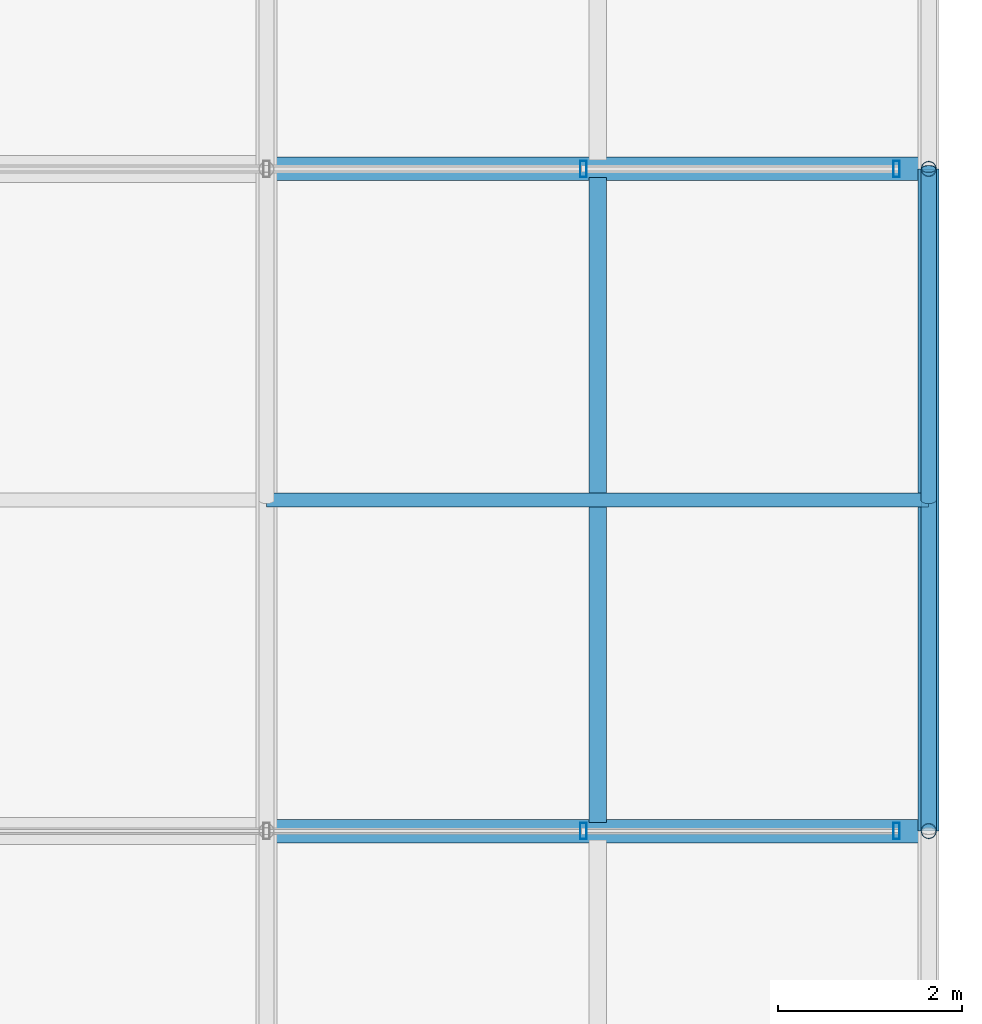
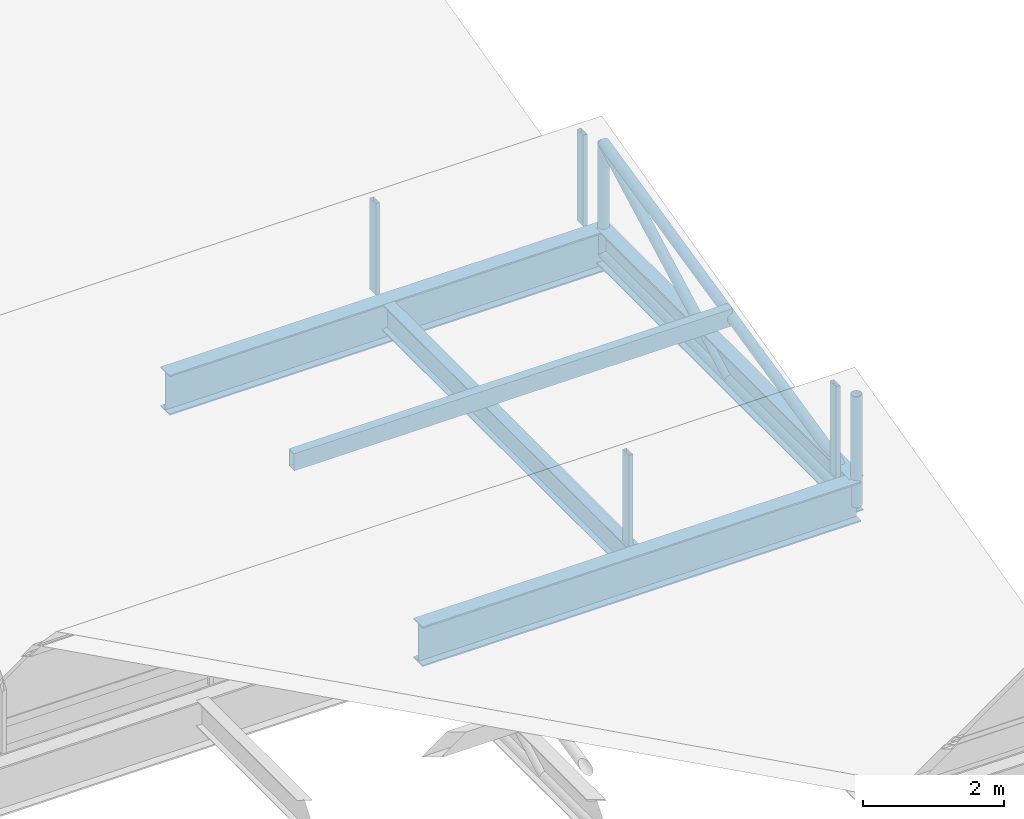
# One storey, part 76 of 144: 10 members, 4 beams, 2 elements without a shape of their own.
"""IFC4 building model written with IfcOpenShell, lengths in metres."""

from ifc_helpers import new_model, si_unit, direction, frame, origin, origin_2d, place, context, subcontext, project, spatial, hollow_rectangle, hollow_circle, i_section, extrude, material, material_profile, profile_set, type_object, element, aggregate, save


model = new_model("IFC4")

# Units and contexts
model_context = context("Model", 3, precision=1e-05, world=origin(), true_north=direction((0.0, 1.0)))
body_context = subcontext(model_context, "Body", "Model", "MODEL_VIEW")
ifc_project = project(units=[si_unit("LENGTHUNIT", "METRE"), si_unit("AREAUNIT", "SQUARE_METRE"), si_unit("VOLUMEUNIT", "CUBIC_METRE"), si_unit("PLANEANGLEUNIT", "RADIAN"), si_unit("MASSUNIT", "GRAM", prefix="KILO")], contexts=[model_context])

# Site, building, storey
site_placement = place(None, origin())
site = spatial("IfcSite", under=ifc_project, at=site_placement, CompositionType="ELEMENT")
building_placement = place(site_placement, origin())
building = spatial("IfcBuilding", under=site, at=building_placement, Name="Yarey Park Central Fire Station", CompositionType="ELEMENT")
storey_placement = place(building_placement, frame((0.0, 0.0, 10.199951171875)))
storey = spatial("IfcBuildingStorey", under=building, at=storey_placement, Name="L03", CompositionType="ELEMENT", Elevation=10.199951171875)

# Curtain wall, members
ifc_material_1 = material(Name="Anodized Aluminium Frame", Category="aluminium")
curtain_wall_type = type_object("IfcCurtainWallType", Name="ENV_CW_SAW_18", PredefinedType="NOTDEFINED", material=ifc_material_1)
curtain_wall_1_placement = place(storey_placement, origin())
curtain_wall_1 = element("IfcCurtainWall", 1, at=curtain_wall_1_placement, inside=storey, type_object=curtain_wall_type, Name="CW_L03_SAW_4_2", PredefinedType="NOTDEFINED")
ifc_material_profile_1 = material_profile(ifc_material_1, hollow_rectangle(XDim=0.070068359375, YDim=0.179931640625, WallThickness=0.00390625, at=origin_2d()), Name="ALU 180x70x4")
ifc_profile_set_1 = profile_set([ifc_material_profile_1], Name="Anodized Aluminium Frame")
member_type_1 = type_object("IfcMemberType", Name="ENV_CW_MULLION", PredefinedType="MULLION", material=ifc_profile_set_1)
member_1_placement = place(storey_placement, frame((165.25, 72.0, 0.0), z_axis=(0.0, 0.0, 1.0), x_axis=(1.0, 0.0, 0.0)))
member_1 = element("IfcMember", 2, at=member_1_placement, type_object=member_type_1, Name="CW_L03_SAW_4_2_MUL1", PredefinedType="MULLION", context=body_context, shape_type="SweptSolid", body=[
    extrude(hollow_rectangle(XDim=0.070068359375, YDim=0.179931640625, WallThickness=0.00390625, at=origin_2d()), origin(), (0.0, 0.0, 1.0), 1.580078125),
])
member_2_placement = place(storey_placement, frame((161.844970703125, 72.0, 0.0), z_axis=(0.0, 0.0, 1.0), x_axis=(1.0, 0.0, 0.0)))
member_2 = element("IfcMember", 3, at=member_2_placement, type_object=member_type_1, Name="CW_L03_SAW_4_2_MUL2", PredefinedType="MULLION", context=body_context, shape_type="SweptSolid", body=[
    extrude(hollow_rectangle(XDim=0.070068359375, YDim=0.179931640625, WallThickness=0.00390625, at=origin_2d()), origin(), (0.0, 0.0, 1.0), 1.580078125),
])
aggregate(curtain_wall_1, [member_1, member_2])

curtain_wall_2_placement = place(storey_placement, origin())
curtain_wall_2 = element("IfcCurtainWall", 4, at=curtain_wall_2_placement, inside=storey, type_object=curtain_wall_type, Name="CW_L03_SAW_5_2", PredefinedType="NOTDEFINED")
member_3_placement = place(storey_placement, frame((165.25, 79.199951171875, 0.0), z_axis=(0.0, 0.0, 1.0), x_axis=(1.0, 0.0, 0.0)))
member_3 = element("IfcMember", 5, at=member_3_placement, type_object=member_type_1, Name="CW_L03_SAW_5_2_MUL1", PredefinedType="MULLION", context=body_context, shape_type="SweptSolid", body=[
    extrude(hollow_rectangle(XDim=0.070068359375, YDim=0.179931640625, WallThickness=0.00390625, at=origin_2d()), origin(), (0.0, 0.0, 1.0), 1.580078125),
])
member_4_placement = place(storey_placement, frame((161.844970703125, 79.199951171875, 0.0), z_axis=(0.0, 0.0, 1.0), x_axis=(1.0, 0.0, 0.0)))
member_4 = element("IfcMember", 6, at=member_4_placement, type_object=member_type_1, Name="CW_L03_SAW_5_2_MUL2", PredefinedType="MULLION", context=body_context, shape_type="SweptSolid", body=[
    extrude(hollow_rectangle(XDim=0.070068359375, YDim=0.179931640625, WallThickness=0.00390625, at=origin_2d()), origin(), (0.0, 0.0, 1.0), 1.580078125),
])
aggregate(curtain_wall_2, [member_3, member_4])

# Beams
ifc_material_2 = material(Name="Steel ASTM A992 Gr. 50", Category="steel")
ifc_material_profile_2 = material_profile(ifc_material_2, i_section(OverallWidth=0.22900390625, OverallDepth=0.612060546875, WebThickness=0.011962890625, FlangeThickness=0.01953125, at=origin_2d()), Name="W610x125")
ifc_profile_set_2 = profile_set([ifc_material_profile_2], Name="Steel ASTM A992 Gr. 50")
beam_type_1 = type_object("IfcBeamType", Name="STR_BM_W610", PredefinedType="BEAM", material=ifc_profile_set_2)
beam_1_placement = place(storey_placement, frame((165.60009765625, 72.0, -0.48583984375), z_axis=(0.0, 1.0, 0.0), x_axis=(-1.0, 0.0, 0.0)))
element("IfcBeam", 7, at=beam_1_placement, inside=storey, type_object=beam_type_1, Name="BMY L03 X1656 Y720", PredefinedType="BEAM", context=body_context, shape_type="SweptSolid", body=[
    extrude(i_section(OverallWidth=0.22900390625, OverallDepth=0.612060546875, WebThickness=0.011962890625, FlangeThickness=0.01953125, at=origin_2d()), origin(), (0.0, 0.0, 1.0), 7.199951171875),
])
ifc_material_profile_3 = material_profile(ifc_material_2, i_section(OverallWidth=0.256103515625, OverallDepth=0.693115234375, WebThickness=0.014404296875, FlangeThickness=0.023681640625, at=origin_2d()), Name="W690x170")
ifc_profile_set_3 = profile_set([ifc_material_profile_3], Name="Steel ASTM A992 Gr. 50")
beam_type_2 = type_object("IfcBeamType", Name="STR_BM_W690", PredefinedType="BEAM", material=ifc_profile_set_3)
for number, where, z_axis, x_axis, name in (
    (8, (158.39990234375, 72.0, -0.5263671875), (1.0, 0.0, 0.0), (0.0, 1.0, 0.0), "BMX L03 Y720 X1584"),
    (9, (158.39990234375, 79.199951171875, -0.5263671875), (1.0, 0.0, 0.0), (0.0, 1.0, 0.0), "BMX L03 Y792 X1584"),
):
    element("IfcBeam", number, at=place(storey_placement, frame(where, z_axis=z_axis, x_axis=x_axis)), inside=storey, type_object=beam_type_2, Name=name, PredefinedType="BEAM", context=body_context, shape_type="SweptSolid", body=[
        extrude(i_section(OverallWidth=0.256103515625, OverallDepth=0.693115234375, WebThickness=0.014404296875, FlangeThickness=0.023681640625, at=origin_2d()), origin(), (0.0, 0.0, 1.0), 7.2001953125),
    ])

# Members
ifc_material_3 = material(Name="Steel ASTM A500 Gr. C", Category="steel")
ifc_material_profile_4 = material_profile(ifc_material_3, hollow_circle(Radius=0.084228515625, WallThickness=0.008056640625, at=origin_2d()), Name="CHS 168.3x8")
ifc_profile_set_4 = profile_set([ifc_material_profile_4], Name="Steel ASTM A500 Gr. C")
member_type_2 = type_object("IfcMemberType", Name="STR_CHORD_CHS168", PredefinedType="CHORD", material=ifc_profile_set_4)
member_5_placement = place(storey_placement, frame((165.60009765625, 72.0, -0.64990234375), z_axis=(0.0, 1.0, 0.0), x_axis=(-1.0, 0.0, 0.0)))
element("IfcMember", 10, at=member_5_placement, inside=storey, type_object=member_type_2, Name="SAW_T4_B5_BC", PredefinedType="CHORD", context=body_context, shape_type="SweptSolid", body=[
    extrude(hollow_circle(Radius=0.084228515625, WallThickness=0.008056640625, at=origin_2d()), origin(), (0.0, 0.0, 1.0), 7.199951171875),
])
member_6_placement = place(storey_placement, frame((165.60009765625, 72.0, -0.349853515625), z_axis=(0.0, 0.975464150349, 0.220158332533), x_axis=(-1.0, 0.0, 0.0)))
element("IfcMember", 11, at=member_6_placement, inside=storey, type_object=member_type_2, Name="SAW_T4_B5_TC", PredefinedType="CHORD", context=body_context, shape_type="SweptSolid", body=[
    extrude(hollow_circle(Radius=0.084228515625, WallThickness=0.008056640625, at=origin_2d()), origin(), (0.0, 0.0, 1.0), 7.381103515625),
])

# Beam
ifc_material_profile_5 = material_profile(ifc_material_2, i_section(OverallWidth=0.18994140625, OverallDepth=0.45703125, WebThickness=0.009033203125, FlangeThickness=0.014404296875, at=origin_2d()), Name="W460x74")
ifc_profile_set_5 = profile_set([ifc_material_profile_5], Name="Steel ASTM A992 Gr. 50")
beam_type_3 = type_object("IfcBeamType", Name="STR_JST_W460", PredefinedType="JOIST", material=ifc_profile_set_5)
beam_2_placement = place(storey_placement, frame((162.0, 72.094970703125, -0.408447265625), z_axis=(0.0, 1.0, 0.0), x_axis=(-1.0, 0.0, 0.0)))
element("IfcBeam", 12, at=beam_2_placement, inside=storey, type_object=beam_type_3, Name="JST L03 X1620 Y720", PredefinedType="JOIST", context=body_context, shape_type="SweptSolid", body=[
    extrude(i_section(OverallWidth=0.18994140625, OverallDepth=0.45703125, WebThickness=0.009033203125, FlangeThickness=0.014404296875, at=origin_2d()), origin(), (0.0, 0.0, 1.0), 7.010009765625),
])

# Members
ifc_material_profile_6 = material_profile(ifc_material_3, hollow_rectangle(XDim=0.14990234375, YDim=0.300048828125, WallThickness=0.010009765625, at=origin_2d()), Name="HSS 300x150x10")
ifc_profile_set_6 = profile_set([ifc_material_profile_6], Name="Steel ASTM A500 Gr. C")
member_type_3 = type_object("IfcMemberType", Name="STR_PUR_HSS300", PredefinedType="PURLIN", material=ifc_profile_set_6)
member_7_placement = place(storey_placement, frame((158.39990234375, 75.60009765625, 0.462646484375), z_axis=(1.0, 0.0, 0.0), x_axis=(0.0, 1.0, 0.0)))
element("IfcMember", 13, at=member_7_placement, inside=storey, type_object=member_type_3, Name="SAW_PUR_3_B5", PredefinedType="PURLIN", context=body_context, shape_type="SweptSolid", body=[
    extrude(hollow_rectangle(XDim=0.14990234375, YDim=0.300048828125, WallThickness=0.010009765625, at=origin_2d()), origin(), (0.0, 0.0, 1.0), 7.2001953125),
])
ifc_material_profile_7 = material_profile(ifc_material_3, hollow_circle(Radius=0.084228515625, WallThickness=0.008056640625, at=origin_2d()), Name="CHS 168.3x8")
ifc_profile_set_7 = profile_set([ifc_material_profile_7], Name="Steel ASTM A500 Gr. C")
member_type_4 = type_object("IfcMemberType", Name="STR_WEB_CHS168", PredefinedType="BRACE", material=ifc_profile_set_7)
for number, where, z_axis, x_axis, name in (
    (14, (165.60009765625, 72.0, -0.64990234375), (0.0, 0.0, 1.0), (1.0, 0.0, 0.0), "SAW_T4_B4_VT"),
    (15, (165.60009765625, 79.199951171875, -0.64990234375), (0.0, 0.0, 1.0), (1.0, 0.0, 0.0), "SAW_T4_B5_VT"),
):
    element("IfcMember", number, at=place(storey_placement, frame(where, z_axis=z_axis, x_axis=x_axis)), inside=storey, type_object=member_type_4, Name=name, PredefinedType="BRACE", context=body_context, shape_type="SweptSolid", body=[
        extrude(hollow_circle(Radius=0.084228515625, WallThickness=0.008056640625, at=origin_2d()), origin(), (0.0, 0.0, 1.0), 1.925048828125),
    ])
member_8_placement = place(storey_placement, frame((165.60009765625, 75.60009765625, -0.64990234375), z_axis=(0.0, 0.8818309127, 0.471565733919), x_axis=(-1.0, 0.0, 0.0)))
element("IfcMember", 16, at=member_8_placement, inside=storey, type_object=member_type_4, Name="SAW_T4_B5_DG", PredefinedType="BRACE", context=body_context, shape_type="SweptSolid", body=[
    extrude(hollow_circle(Radius=0.084228515625, WallThickness=0.008056640625, at=origin_2d()), origin(), (0.0, 0.0, 1.0), 4.082275390625),
])

save(model, "model.ifc")
